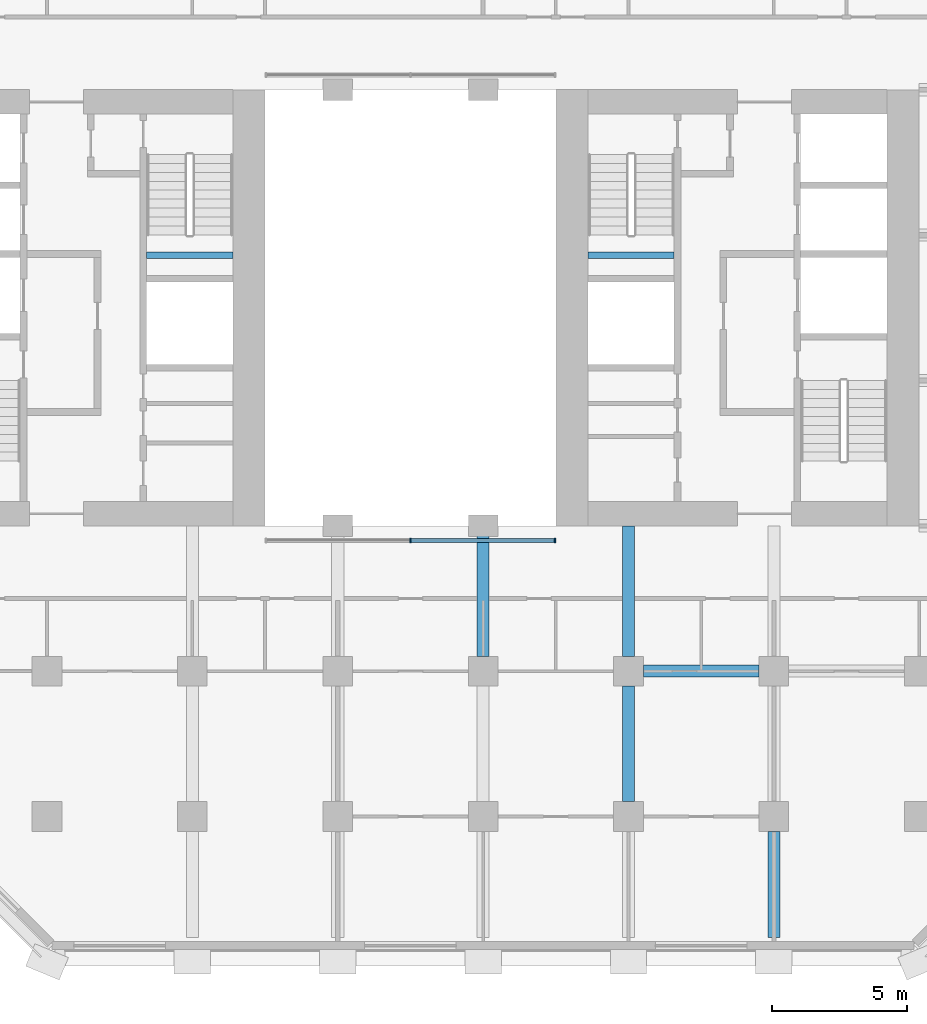
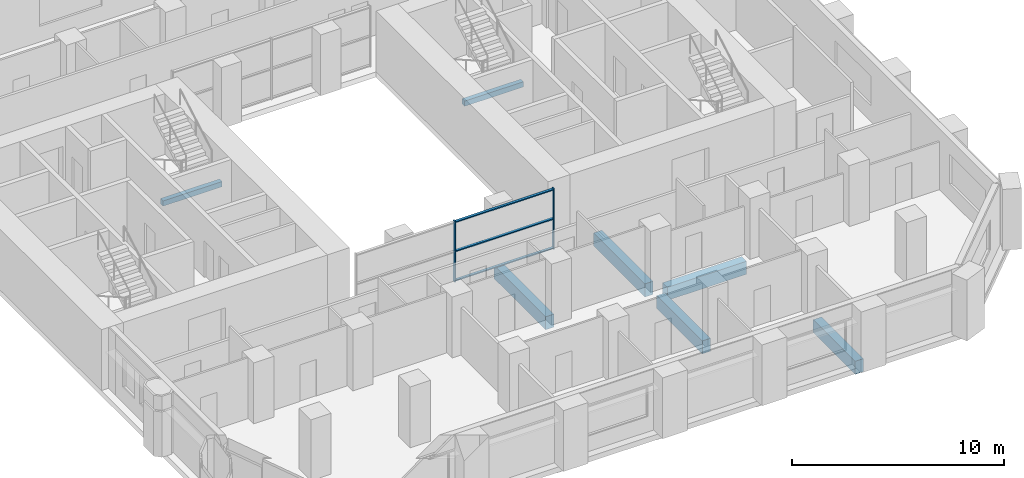
# One storey, part 4 of 13: 7 beams, 5 members, 1 element without a shape of its own.
"""IFC4 building model written with IfcOpenShell, lengths in metres."""

from ifc_helpers import new_model, si_unit, direction, frame, origin, origin_2d, place, context, subcontext, project, spatial, rectangle, extrude, material, material_profile, profile_set, type_object, element, aggregate, save


model = new_model("IFC4")

# Units and contexts
model_context = context("Model", 3, precision=1e-05, world=origin(), true_north=direction((0.0, 1.0)))
body_context = subcontext(model_context, "Body", "Model", "MODEL_VIEW")
ifc_project = project(units=[si_unit("LENGTHUNIT", "METRE"), si_unit("AREAUNIT", "SQUARE_METRE"), si_unit("VOLUMEUNIT", "CUBIC_METRE"), si_unit("PLANEANGLEUNIT", "RADIAN"), si_unit("MASSUNIT", "GRAM", prefix="KILO")], contexts=[model_context])

# Site, building, storey
site_placement = place(None, origin())
site = spatial("IfcSite", under=ifc_project, at=site_placement, CompositionType="ELEMENT")
building_placement = place(site_placement, origin())
building = spatial("IfcBuilding", under=site, at=building_placement, Name="Tabaq Tower and Sports Hall", CompositionType="ELEMENT")
storey_placement = place(building_placement, frame((0.0, 0.0, 41.199951171875)))
storey = spatial("IfcBuildingStorey", under=building, at=storey_placement, Name="L08", CompositionType="ELEMENT", Elevation=41.199951171875)

# Curtain wall, members
ifc_material_1 = material(Name="Aluminium alloy 6063-T6 framed glazing", Category="aluminium")
curtain_wall_type = type_object("IfcCurtainWallType", Name="CW1 curtain wall", PredefinedType="USERDEFINED", material=ifc_material_1)
curtain_wall_placement = place(storey_placement, origin())
curtain_wall = element("IfcCurtainWall", 1, at=curtain_wall_placement, inside=storey, type_object=curtain_wall_type, Name="Atrium glazing L08 S", ObjectType="ATRIUM ENCLOSURE", PredefinedType="USERDEFINED")
ifc_material_2 = material(Name="Aluminium alloy 6063-T6", Category="aluminium")
ifc_material_profile_1 = material_profile(ifc_material_2, rectangle(XDim=0.159912109375, YDim=0.06005859375, at=origin_2d()), Name="MULLION 160x60")
ifc_profile_set_1 = profile_set([ifc_material_profile_1], Name="Aluminium alloy 6063-T6")
member_type_1 = type_object("IfcMemberType", Name="CW1 mullion 160x60", PredefinedType="MULLION", material=ifc_profile_set_1)
member_1_placement = place(storey_placement, frame((24.300048828125, 15.64990234375, 0.0), z_axis=(0.0, 0.0, 1.0), x_axis=(0.0, 1.0, 0.0)))
member_1 = element("IfcMember", 2, at=member_1_placement, type_object=member_type_1, Name="CW1 mullion 2", PredefinedType="MULLION", context=body_context, shape_type="SweptSolid", body=[
    extrude(rectangle(XDim=0.159912109375, YDim=0.06005859375, at=origin_2d()), origin(), (0.0, 0.0, 1.0), 3.5),
])
member_2_placement = place(storey_placement, frame((29.669921875, 15.64990234375, 0.0), z_axis=(0.0, 0.0, 1.0), x_axis=(0.0, 1.0, 0.0)))
member_2 = element("IfcMember", 3, at=member_2_placement, type_object=member_type_1, Name="CW1 mullion 3", PredefinedType="MULLION", context=body_context, shape_type="SweptSolid", body=[
    extrude(rectangle(XDim=0.159912109375, YDim=0.06005859375, at=origin_2d()), origin(), (0.0, 0.0, 1.0), 3.5),
])
ifc_material_3 = material(Name="Aluminium alloy 6063-T6", Category="aluminium")
ifc_material_profile_2 = material_profile(ifc_material_3, rectangle(XDim=0.139892578125, YDim=0.06005859375, at=origin_2d()), Name="TRANSOM 140x60")
ifc_profile_set_2 = profile_set([ifc_material_profile_2], Name="Aluminium alloy 6063-T6")
member_type_2 = type_object("IfcMemberType", Name="CW1 transom 140x60", PredefinedType="USERDEFINED", material=ifc_profile_set_2)
member_3_placement = place(storey_placement, frame((24.330078125, 15.64990234375, 0.070068359375), z_axis=(1.0, 0.0, 0.0), x_axis=(0.0, 1.0, 0.0)))
member_3 = element("IfcMember", 4, at=member_3_placement, type_object=member_type_2, Name="CW1 transom 2.1", ObjectType="TRANSOM", PredefinedType="USERDEFINED", context=body_context, shape_type="SweptSolid", body=[
    extrude(rectangle(XDim=0.139892578125, YDim=0.06005859375, at=origin_2d()), origin(), (0.0, 0.0, 1.0), 5.309814453125),
])
member_4_placement = place(storey_placement, frame((24.330078125, 15.64990234375, 1.75), z_axis=(1.0, 0.0, 0.0), x_axis=(0.0, 1.0, 0.0)))
member_4 = element("IfcMember", 5, at=member_4_placement, type_object=member_type_2, Name="CW1 transom 2.2", ObjectType="TRANSOM", PredefinedType="USERDEFINED", context=body_context, shape_type="SweptSolid", body=[
    extrude(rectangle(XDim=0.139892578125, YDim=0.06005859375, at=origin_2d()), origin(), (0.0, 0.0, 1.0), 5.309814453125),
])
member_5_placement = place(storey_placement, frame((24.330078125, 15.64990234375, 3.429931640625), z_axis=(1.0, 0.0, 0.0), x_axis=(0.0, 1.0, 0.0)))
member_5 = element("IfcMember", 6, at=member_5_placement, type_object=member_type_2, Name="CW1 transom 2.3", ObjectType="TRANSOM", PredefinedType="USERDEFINED", context=body_context, shape_type="SweptSolid", body=[
    extrude(rectangle(XDim=0.139892578125, YDim=0.06005859375, at=origin_2d()), origin(), (0.0, 0.0, 1.0), 5.309814453125),
])
aggregate(curtain_wall, [member_1, member_2, member_3, member_4, member_5])

# Beams
ifc_material_4 = material(Name="Concrete C40/50", Category="concrete")
ifc_material_profile_3 = material_profile(ifc_material_4, rectangle(XDim=0.449951171875, YDim=0.75, at=origin_2d()), Name="CB 450x750")
ifc_profile_set_3 = profile_set([ifc_material_profile_3], Name="Concrete C40/50")
beam_type_1 = type_object("IfcBeamType", Name="PT CANTILEVER BEAM CB 450x750 C40/50", PredefinedType="BEAM", material=ifc_profile_set_3)
beam_1_placement = place(storey_placement, frame((37.25, 10.800048828125, -0.675048828125), z_axis=(-1.0, 0.0, 0.0), x_axis=(0.0, -1.0, 0.0)))
element("IfcBeam", 7, at=beam_1_placement, inside=storey, type_object=beam_type_1, Name="Cantilever Beam L08 E2 span 3", PredefinedType="BEAM", context=body_context, shape_type="SweptSolid", body=[
    extrude(rectangle(XDim=0.449951171875, YDim=0.75, at=origin_2d()), origin(), (0.0, 0.0, 1.0), 4.300048828125),
])
beam_2_placement = place(storey_placement, frame((27.0, 11.35009765625, -0.675048828125), z_axis=(0.0, 1.0, 0.0), x_axis=(-1.0, 0.0, 0.0)))
element("IfcBeam", 8, at=beam_2_placement, inside=storey, type_object=beam_type_1, Name="Cantilever Beam L08 S5 span 3", PredefinedType="BEAM", context=body_context, shape_type="SweptSolid", body=[
    extrude(rectangle(XDim=0.449951171875, YDim=0.75, at=origin_2d()), origin(), (0.0, 0.0, 1.0), 4.849853515625),
])
beam_3_placement = place(storey_placement, frame((32.39990234375, 5.949951171875, -0.675048828125), z_axis=(0.0, 1.0, 0.0), x_axis=(-1.0, 0.0, 0.0)))
element("IfcBeam", 9, at=beam_3_placement, inside=storey, type_object=beam_type_1, Name="Cantilever Beam L08 S6 span 2", PredefinedType="BEAM", context=body_context, shape_type="SweptSolid", body=[
    extrude(rectangle(XDim=0.449951171875, YDim=0.75, at=origin_2d()), origin(), (0.0, 0.0, 1.0), 4.300048828125),
])
beam_4_placement = place(storey_placement, frame((32.39990234375, 11.35009765625, -0.675048828125), z_axis=(0.0, 1.0, 0.0), x_axis=(-1.0, 0.0, 0.0)))
element("IfcBeam", 10, at=beam_4_placement, inside=storey, type_object=beam_type_1, Name="Cantilever Beam L08 S6 span 3", PredefinedType="BEAM", context=body_context, shape_type="SweptSolid", body=[
    extrude(rectangle(XDim=0.449951171875, YDim=0.75, at=origin_2d()), origin(), (0.0, 0.0, 1.0), 4.849853515625),
])
beam_5_placement = place(storey_placement, frame((37.800048828125, 0.89990234375, -0.675048828125), z_axis=(0.0, 1.0, 0.0), x_axis=(-1.0, 0.0, 0.0)))
element("IfcBeam", 11, at=beam_5_placement, inside=storey, type_object=beam_type_1, Name="Cantilever Beam L08 S7 span 1", PredefinedType="BEAM", context=body_context, shape_type="SweptSolid", body=[
    extrude(rectangle(XDim=0.449951171875, YDim=0.75, at=origin_2d()), origin(), (0.0, 0.0, 1.0), 3.9501953125),
])
ifc_material_5 = material(Name="Concrete C40/50", Category="concrete")
ifc_material_profile_4 = material_profile(ifc_material_5, rectangle(XDim=0.25, YDim=0.300048828125, at=origin_2d()), Name="RC 250x300")
ifc_profile_set_4 = profile_set([ifc_material_profile_4], Name="Concrete C40/50")
beam_type_2 = type_object("IfcBeamType", Name="Stair landing beam 250x300", PredefinedType="BEAM", material=ifc_profile_set_4)
beam_6_placement = place(storey_placement, frame((14.5, 26.25, 1.550048828125), z_axis=(1.0, 0.0, 0.0), x_axis=(0.0, 1.0, 0.0)))
element("IfcBeam", 12, at=beam_6_placement, inside=storey, type_object=beam_type_2, Name="L08 ST2 landing beam 1", PredefinedType="BEAM", context=body_context, shape_type="SweptSolid", body=[
    extrude(rectangle(XDim=0.25, YDim=0.300048828125, at=origin_2d()), origin(), (0.0, 0.0, 1.0), 3.199951171875),
])
beam_7_placement = place(storey_placement, frame((30.89990234375, 26.25, 1.550048828125), z_axis=(1.0, 0.0, 0.0), x_axis=(0.0, 1.0, 0.0)))
element("IfcBeam", 13, at=beam_7_placement, inside=storey, type_object=beam_type_2, Name="L08 ST4 landing beam 1", PredefinedType="BEAM", context=body_context, shape_type="SweptSolid", body=[
    extrude(rectangle(XDim=0.25, YDim=0.300048828125, at=origin_2d()), origin(), (0.0, 0.0, 1.0), 3.2001953125),
])

save(model, "model.ifc")
